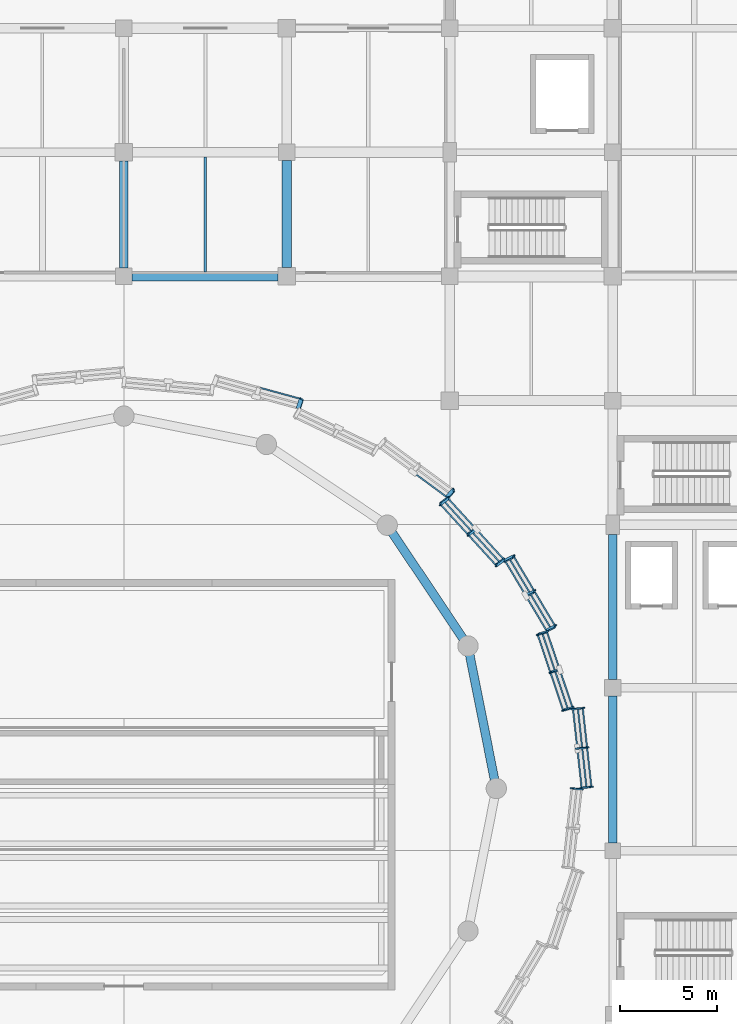
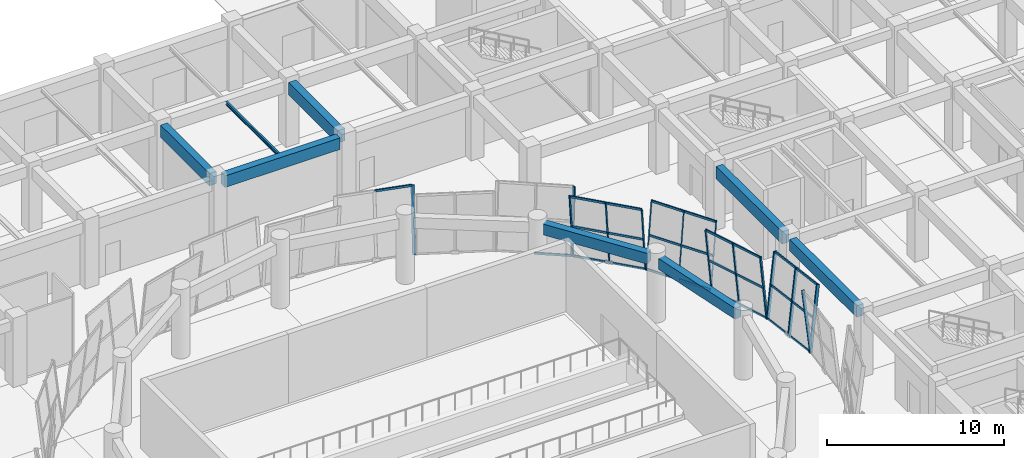
# One storey, part 33 of 72: 41 members, 8 beams, 7 elements without a shape of their own.
"""IFC4 building model written with IfcOpenShell, lengths in metres."""

from ifc_helpers import new_model, si_unit, direction, frame, origin, origin_2d, place, context, subcontext, project, spatial, rectangle, hollow_rectangle, i_section, extrude, material, material_profile, profile_set, type_object, element, aggregate, save


model = new_model("IFC4")

# Units and contexts
model_context = context("Model", 3, precision=1e-05, world=origin(), true_north=direction((0.0, 1.0)))
body_context = subcontext(model_context, "Body", "Model", "MODEL_VIEW")
ifc_project = project(units=[si_unit("LENGTHUNIT", "METRE"), si_unit("AREAUNIT", "SQUARE_METRE"), si_unit("VOLUMEUNIT", "CUBIC_METRE"), si_unit("PLANEANGLEUNIT", "RADIAN"), si_unit("MASSUNIT", "GRAM", prefix="KILO")], contexts=[model_context])

# Site, building, storey
site_placement = place(None, origin())
site = spatial("IfcSite", under=ifc_project, at=site_placement, CompositionType="ELEMENT")
building_placement = place(site_placement, origin())
building = spatial("IfcBuilding", under=site, at=building_placement, Name="Korsvaeld Concert Hall", CompositionType="ELEMENT")
storey_placement = place(building_placement, origin())
storey = spatial("IfcBuildingStorey", under=building, at=storey_placement, Name="L00", CompositionType="ELEMENT", Elevation=0.0)

# Beams
ifc_material_1 = material(Name="Concrete C35/45", Category="concrete")
ifc_material_profile_1 = material_profile(ifc_material_1, rectangle(XDim=0.449951171875, YDim=0.75, at=origin_2d()), Name="RC 450x750")
ifc_profile_set_1 = profile_set([ifc_material_profile_1], Name="Concrete C35/45")
beam_type_1 = type_object("IfcBeamType", Name="BM-RC-450x750", PredefinedType="T_BEAM", material=ifc_profile_set_1)
for number, where, z_axis, x_axis, name in (
    (1, (103.1123046875, 63.641357421875, 4.06494140625), (-0.195083214432, 0.980786694163, 0.0), (-0.980786694163, -0.195083214432, 0.0), "Drum ring floor girder L00 01"),
    (2, (101.488525390625, 70.921630859375, 4.06494140625), (-0.555571711953, 0.831468624109, 0.0), (-0.831468624109, -0.555571711953, 0.0), "Drum ring floor girder L00 02"),
):
    element("IfcBeam", number, at=place(storey_placement, frame(where, z_axis=z_axis, x_axis=x_axis)), inside=storey, type_object=beam_type_1, Name=name, PredefinedType="T_BEAM", context=body_context, shape_type="SweptSolid", body=[
        extrude(rectangle(XDim=0.449951171875, YDim=0.75, at=origin_2d()), origin(), (0.0, 0.0, 1.0), 6.591552734375),
    ])
ifc_material_profile_2 = material_profile(ifc_material_1, rectangle(XDim=0.449951171875, YDim=0.800048828125, at=origin_2d()), Name="RC 450x800")
ifc_profile_set_2 = profile_set([ifc_material_profile_2], Name="Concrete C35/45")
beam_type_2 = type_object("IfcBeamType", Name="BM-RC-450x800", PredefinedType="T_BEAM", material=ifc_profile_set_2)
beam_1_placement = place(storey_placement, frame((84.425048828125, 89.60009765625, 4.0400390625), z_axis=(1.0, 0.0, 0.0), x_axis=(0.0, 1.0, 0.0)))
element("IfcBeam", 3, at=beam_1_placement, inside=storey, type_object=beam_type_2, Name="Primary girder 12-13/N L00", PredefinedType="T_BEAM", context=body_context, shape_type="SweptSolid", body=[
    extrude(rectangle(XDim=0.449951171875, YDim=0.800048828125, at=origin_2d()), origin(), (0.0, 0.0, 1.0), 7.52490234375),
])
beam_2_placement = place(storey_placement, frame((109.199951171875, 60.39990234375, 4.0400390625), z_axis=(0.0, 1.0, 0.0), x_axis=(-1.0, 0.0, 0.0)))
element("IfcBeam", 4, at=beam_2_placement, inside=storey, type_object=beam_type_2, Name="Primary girder 15/J-K L00", PredefinedType="T_BEAM", context=body_context, shape_type="SweptSolid", body=[
    extrude(rectangle(XDim=0.449951171875, YDim=0.800048828125, at=origin_2d()), origin(), (0.0, 0.0, 1.0), 7.5751953125),
])
ifc_material_2 = material(Name="Concrete C40/50", Category="concrete")
ifc_material_profile_3 = material_profile(ifc_material_2, rectangle(XDim=0.449951171875, YDim=0.85009765625, at=origin_2d()), Name="RC 450x850")
ifc_profile_set_3 = profile_set([ifc_material_profile_3], Name="Concrete C40/50")
beam_type_3 = type_object("IfcBeamType", Name="BM-RC-450x850", PredefinedType="T_BEAM", material=ifc_profile_set_3)
beam_3_placement = place(storey_placement, frame((84.0, 90.02490234375, 4.014892578125), z_axis=(0.0, 1.0, 0.0), x_axis=(-1.0, 0.0, 0.0)))
element("IfcBeam", 5, at=beam_3_placement, inside=storey, type_object=beam_type_3, Name="Primary girder 12/N-P L00", PredefinedType="T_BEAM", context=body_context, shape_type="SweptSolid", body=[
    extrude(rectangle(XDim=0.449951171875, YDim=0.85009765625, at=origin_2d()), origin(), (0.0, 0.0, 1.0), 5.525146484375),
])
beam_4_placement = place(storey_placement, frame((109.199951171875, 68.824951171875, 4.014892578125), z_axis=(0.0, 1.0, 0.0), x_axis=(-1.0, 0.0, 0.0)))
element("IfcBeam", 6, at=beam_4_placement, inside=storey, type_object=beam_type_3, Name="Primary girder 15/K-L L00", PredefinedType="T_BEAM", context=body_context, shape_type="SweptSolid", body=[
    extrude(rectangle(XDim=0.449951171875, YDim=0.85009765625, at=origin_2d()), origin(), (0.0, 0.0, 1.0), 7.47509765625),
])
ifc_material_profile_4 = material_profile(ifc_material_2, rectangle(XDim=0.5, YDim=0.85009765625, at=origin_2d()), Name="RC 500x850")
ifc_profile_set_4 = profile_set([ifc_material_profile_4], Name="Concrete C40/50")
beam_type_4 = type_object("IfcBeamType", Name="BM-RC-500x850", PredefinedType="T_BEAM", material=ifc_profile_set_4)
beam_5_placement = place(storey_placement, frame((92.39990234375, 90.050048828125, 4.014892578125), z_axis=(0.0, 1.0, 0.0), x_axis=(-1.0, 0.0, 0.0)))
element("IfcBeam", 7, at=beam_5_placement, inside=storey, type_object=beam_type_4, Name="Primary girder 13/N-P L00", PredefinedType="T_BEAM", context=body_context, shape_type="SweptSolid", body=[
    extrude(rectangle(XDim=0.5, YDim=0.85009765625, at=origin_2d()), origin(), (0.0, 0.0, 1.0), 5.52490234375),
])
ifc_material_3 = material(Name="Steel S355J2", Category="steel")
ifc_material_profile_5 = material_profile(ifc_material_3, i_section(OverallWidth=0.1201171875, OverallDepth=0.239990234375, WebThickness=0.006103515625, FlangeThickness=0.009765625, FilletRadius=0.014892578125, at=origin_2d()), Name="IPE 240")
ifc_profile_set_5 = profile_set([ifc_material_profile_5], Name="Steel S355J2")
beam_type_5 = type_object("IfcBeamType", Name="BM-STL-IPE240", PredefinedType="JOIST", material=ifc_profile_set_5)
beam_6_placement = place(storey_placement, frame((88.199951171875, 89.824951171875, 4.320068359375), z_axis=(0.0, 1.0, 0.0), x_axis=(-1.0, 0.0, 0.0)))
element("IfcBeam", 8, at=beam_6_placement, inside=storey, type_object=beam_type_5, Name="Secondary steel floor beam 12-13/N L00", PredefinedType="JOIST", context=body_context, shape_type="SweptSolid", body=[
    extrude(i_section(OverallWidth=0.1201171875, OverallDepth=0.239990234375, WebThickness=0.006103515625, FlangeThickness=0.009765625, FilletRadius=0.014892578125, at=origin_2d()), origin(), (0.0, 0.0, 1.0), 5.925048828125),
])

# Curtain wall, members
ifc_material_4 = material(Name="Anodised bronze and ceramic-fritted safety glass", Category="glass")
curtain_wall_type_1 = type_object("IfcCurtainWallType", Name="CW-TYPE-02", PredefinedType="USERDEFINED", material=ifc_material_4)
curtain_wall_1_placement = place(storey_placement, origin())
curtain_wall_1 = element("IfcCurtainWall", 9, at=curtain_wall_1_placement, inside=storey, type_object=curtain_wall_type_1, Name="Crystal curtain-wall facet L00 F02", ObjectType="CURTAIN WALL", PredefinedType="USERDEFINED")
ifc_material_5 = material(Name="Anodised architectural bronze aluminium", Category="aluminium")
ifc_material_profile_6 = material_profile(ifc_material_5, hollow_rectangle(XDim=0.074951171875, YDim=0.179931640625, WallThickness=0.0048828125, at=origin_2d()), Name="CWM 180x75x5")
ifc_profile_set_6 = profile_set([ifc_material_profile_6], Name="Anodised architectural bronze aluminium")
member_type_1 = type_object("IfcMemberType", Name="CWM-BRONZE-180x75", PredefinedType="MULLION", material=ifc_profile_set_6)
member_1_placement = place(storey_placement, frame((107.134521484375, 67.371337890625, 0.0), z_axis=(-0.109211912002, -0.029725998854, 0.993573914346), x_axis=(-0.555535114655, 0.830704252875, -0.036210228416)))
member_1 = element("IfcMember", 10, at=member_1_placement, type_object=member_type_1, Name="CW-CRYS-L00-F02 crystal mullion 1", PredefinedType="MULLION", context=body_context, shape_type="SweptSolid", body=[
    extrude(hollow_rectangle(XDim=0.074951171875, YDim=0.179931640625, WallThickness=0.0048828125, at=origin_2d()), origin(), (0.0, 0.0, 1.0), 4.509033203125),
])
member_2_placement = place(storey_placement, frame((106.47509765625, 69.324462890625, 0.0), z_axis=(-0.109211736062, -0.029780096596, 0.993572313701), x_axis=(-0.555917957022, 0.830447902565, -0.036214723319)))
member_2 = element("IfcMember", 11, at=member_2_placement, type_object=member_type_1, Name="CW-CRYS-L00-F02 crystal mullion 2", PredefinedType="MULLION", context=body_context, shape_type="SweptSolid", body=[
    extrude(hollow_rectangle(XDim=0.074951171875, YDim=0.179931640625, WallThickness=0.0048828125, at=origin_2d()), origin(), (0.0, 0.0, 1.0), 4.509033203125),
])
member_3_placement = place(storey_placement, frame((105.815673828125, 71.27734375, 0.0), z_axis=(-0.109265235411, -0.029779920454, 0.993566436967), x_axis=(-0.555811687158, 0.830518312269, -0.036231221413)))
member_3 = element("IfcMember", 12, at=member_3_placement, type_object=member_type_1, Name="CW-CRYS-L00-F02 crystal mullion 3", PredefinedType="MULLION", context=body_context, shape_type="SweptSolid", body=[
    extrude(hollow_rectangle(XDim=0.074951171875, YDim=0.179931640625, WallThickness=0.0048828125, at=origin_2d()), origin(), (0.0, 0.0, 1.0), 4.509033203125),
])

curtain_wall_type_2 = type_object("IfcCurtainWallType", Name="CW-TYPE-04", PredefinedType="USERDEFINED", material=ifc_material_4)
curtain_wall_2_placement = place(storey_placement, origin())
curtain_wall_2 = element("IfcCurtainWall", 13, at=curtain_wall_2_placement, inside=storey, type_object=curtain_wall_type_2, Name="Crystal curtain-wall facet L00 F04", ObjectType="CURTAIN WALL", PredefinedType="USERDEFINED")
member_4_placement = place(storey_placement, frame((103.597412109375, 75.005859375, 0.0), z_axis=(-0.091126857677, -0.06719455162, 0.993569719769), x_axis=(-0.977527412796, 0.19648978478, -0.076367019772)))
member_4 = element("IfcMember", 14, at=member_4_placement, type_object=member_type_1, Name="CW-CRYS-L00-F04 crystal mullion 1", PredefinedType="MULLION", context=body_context, shape_type="SweptSolid", body=[
    extrude(hollow_rectangle(XDim=0.074951171875, YDim=0.179931640625, WallThickness=0.0048828125, at=origin_2d()), origin(), (0.0, 0.0, 1.0), 4.509033203125),
])
member_5_placement = place(storey_placement, frame((102.1552734375, 76.58447265625, 0.0), z_axis=(-0.091126857677, -0.06719455162, 0.993569719769), x_axis=(-0.977527412796, 0.19648978478, -0.076367019772)))
member_5 = element("IfcMember", 15, at=member_5_placement, type_object=member_type_1, Name="CW-CRYS-L00-F04 crystal mullion 2", PredefinedType="MULLION", context=body_context, shape_type="SweptSolid", body=[
    extrude(hollow_rectangle(XDim=0.074951171875, YDim=0.179931640625, WallThickness=0.0048828125, at=origin_2d()), origin(), (0.0, 0.0, 1.0), 4.509033203125),
])
member_6_placement = place(storey_placement, frame((100.712890625, 78.1630859375, 0.0), z_axis=(-0.091073161421, -0.06719488307, 0.99357462073), x_axis=(-0.977585821569, 0.196210270738, -0.076338005771)))
member_6 = element("IfcMember", 16, at=member_6_placement, type_object=member_type_1, Name="CW-CRYS-L00-F04 crystal mullion 3", PredefinedType="MULLION", context=body_context, shape_type="SweptSolid", body=[
    extrude(hollow_rectangle(XDim=0.074951171875, YDim=0.179931640625, WallThickness=0.0048828125, at=origin_2d()), origin(), (0.0, 0.0, 1.0), 4.509033203125),
])

# Curtain wall, member
curtain_wall_type_3 = type_object("IfcCurtainWallType", Name="CW-TYPE-08", PredefinedType="USERDEFINED", material=ifc_material_4)
curtain_wall_3_placement = place(storey_placement, origin())
curtain_wall_3 = element("IfcCurtainWall", 17, at=curtain_wall_3_placement, inside=storey, type_object=curtain_wall_type_3, Name="Crystal curtain-wall facet L00 F32", ObjectType="CURTAIN WALL", PredefinedType="USERDEFINED")
member_7_placement = place(storey_placement, frame((107.595947265625, 63.162841796875, 0.0), z_axis=(-0.112785024271, 0.009962767386, 0.993569464892), x_axis=(0.195342682506, 0.980657399627, 0.012341027037)))
member_7 = element("IfcMember", 18, at=member_7_placement, type_object=member_type_1, Name="CW-CRYS-L00-F32 crystal mullion 3", PredefinedType="MULLION", context=body_context, shape_type="SweptSolid", body=[
    extrude(hollow_rectangle(XDim=0.074951171875, YDim=0.179931640625, WallThickness=0.0048828125, at=origin_2d()), origin(), (0.0, 0.0, 1.0), 4.509033203125),
])
aggregate(curtain_wall_3, [member_7])

# Curtain wall, members
curtain_wall_type_4 = type_object("IfcCurtainWallType", Name="CW-TYPE-01", PredefinedType="USERDEFINED", material=ifc_material_4)
curtain_wall_4_placement = place(storey_placement, origin())
curtain_wall_4 = element("IfcCurtainWall", 19, at=curtain_wall_4_placement, inside=storey, type_object=curtain_wall_type_4, Name="Crystal curtain-wall facet L00 F01", ObjectType="CURTAIN WALL", PredefinedType="USERDEFINED")
ifc_material_profile_7 = material_profile(ifc_material_5, hollow_rectangle(XDim=0.074951171875, YDim=0.219970703125, WallThickness=0.006103515625, at=origin_2d()), Name="CWM 220x75x6")
ifc_profile_set_7 = profile_set([ifc_material_profile_7], Name="Anodised architectural bronze aluminium")
member_type_2 = type_object("IfcMemberType", Name="CWM-BRONZE-220x75", PredefinedType="MULLION", material=ifc_profile_set_7)
member_8_placement = place(storey_placement, frame((107.595947265625, 63.2373046875, 0.0), z_axis=(0.112731567062, 0.009962828213, 0.99357553102), x_axis=(0.195384625536, -0.980649116842, -0.012335223589)))
member_8 = element("IfcMember", 20, at=member_8_placement, type_object=member_type_2, Name="CW-CRYS-L00-F01 crystal mullion 1", PredefinedType="MULLION", context=body_context, shape_type="SweptSolid", body=[
    extrude(hollow_rectangle(XDim=0.074951171875, YDim=0.219970703125, WallThickness=0.006103515625, at=origin_2d()), origin(), (0.0, 0.0, 1.0), 4.509033203125),
])
member_9_placement = place(storey_placement, frame((107.373291015625, 65.26806640625, 0.0), z_axis=(0.112731567062, 0.009962828213, 0.99357553102), x_axis=(0.195384625536, -0.980649116842, -0.012335223589)))
member_9 = element("IfcMember", 21, at=member_9_placement, type_object=member_type_2, Name="CW-CRYS-L00-F01 crystal mullion 2", PredefinedType="MULLION", context=body_context, shape_type="SweptSolid", body=[
    extrude(hollow_rectangle(XDim=0.074951171875, YDim=0.219970703125, WallThickness=0.006103515625, at=origin_2d()), origin(), (0.0, 0.0, 1.0), 4.509033203125),
])
member_10_placement = place(storey_placement, frame((107.150634765625, 67.298583984375, 0.0), z_axis=(0.112731567062, 0.009962828213, 0.99357553102), x_axis=(0.195384625536, -0.980649116842, -0.012335223589)))
member_10 = element("IfcMember", 22, at=member_10_placement, type_object=member_type_2, Name="CW-CRYS-L00-F01 crystal mullion 3", PredefinedType="MULLION", context=body_context, shape_type="SweptSolid", body=[
    extrude(hollow_rectangle(XDim=0.074951171875, YDim=0.219970703125, WallThickness=0.006103515625, at=origin_2d()), origin(), (0.0, 0.0, 1.0), 4.509033203125),
])

curtain_wall_type_5 = type_object("IfcCurtainWallType", Name="CW-TYPE-03", PredefinedType="USERDEFINED", material=ifc_material_4)
curtain_wall_5_placement = place(storey_placement, origin())
curtain_wall_5 = element("IfcCurtainWall", 23, at=curtain_wall_5_placement, inside=storey, type_object=curtain_wall_type_5, Name="Crystal curtain-wall facet L00 F03", ObjectType="CURTAIN WALL", PredefinedType="USERDEFINED")
member_11_placement = place(storey_placement, frame((105.784423828125, 71.34521484375, 0.0), z_axis=(0.102064294294, 0.049001690364, 0.993570185831), x_axis=(0.829955472375, -0.554817257188, -0.057894084342)))
member_11 = element("IfcMember", 24, at=member_11_placement, type_object=member_type_2, Name="CW-CRYS-L00-F03 crystal mullion 1", PredefinedType="MULLION", context=body_context, shape_type="SweptSolid", body=[
    extrude(hollow_rectangle(XDim=0.074951171875, YDim=0.219970703125, WallThickness=0.006103515625, at=origin_2d()), origin(), (0.0, 0.0, 1.0), 4.509033203125),
])
member_12_placement = place(storey_placement, frame((104.713134765625, 73.1455078125, 0.0), z_axis=(0.102064294294, 0.049001690364, 0.993570185831), x_axis=(0.829955472375, -0.554817257188, -0.057894084342)))
member_12 = element("IfcMember", 25, at=member_12_placement, type_object=member_type_2, Name="CW-CRYS-L00-F03 crystal mullion 2", PredefinedType="MULLION", context=body_context, shape_type="SweptSolid", body=[
    extrude(hollow_rectangle(XDim=0.074951171875, YDim=0.219970703125, WallThickness=0.006103515625, at=origin_2d()), origin(), (0.0, 0.0, 1.0), 4.509033203125),
])
member_13_placement = place(storey_placement, frame((103.641845703125, 74.94580078125, 0.0), z_axis=(0.102064294294, 0.049001690364, 0.993570185831), x_axis=(0.829955472375, -0.554817257188, -0.057894084342)))
member_13 = element("IfcMember", 26, at=member_13_placement, type_object=member_type_2, Name="CW-CRYS-L00-F03 crystal mullion 3", PredefinedType="MULLION", context=body_context, shape_type="SweptSolid", body=[
    extrude(hollow_rectangle(XDim=0.074951171875, YDim=0.219970703125, WallThickness=0.006103515625, at=origin_2d()), origin(), (0.0, 0.0, 1.0), 4.509033203125),
])

# Curtain wall, member
curtain_wall_type_6 = type_object("IfcCurtainWallType", Name="CW-TYPE-05", PredefinedType="USERDEFINED", material=ifc_material_4)
curtain_wall_6_placement = place(storey_placement, origin())
curtain_wall_6 = element("IfcCurtainWall", 27, at=curtain_wall_6_placement, inside=storey, type_object=curtain_wall_type_6, Name="Crystal curtain-wall facet L00 F05", ObjectType="CURTAIN WALL", PredefinedType="USERDEFINED")
member_14_placement = place(storey_placement, frame((100.657470703125, 78.212890625, 0.0), z_axis=(0.076345198991, 0.083600700172, 0.99357049751), x_axis=(0.977470985896, 0.190384528217, -0.091127400637)))
member_14 = element("IfcMember", 28, at=member_14_placement, type_object=member_type_2, Name="CW-CRYS-L00-F05 crystal mullion 1", PredefinedType="MULLION", context=body_context, shape_type="SweptSolid", body=[
    extrude(hollow_rectangle(XDim=0.074951171875, YDim=0.219970703125, WallThickness=0.006103515625, at=origin_2d()), origin(), (0.0, 0.0, 1.0), 4.509033203125),
])

curtain_wall_type_7 = type_object("IfcCurtainWallType", Name="CW-TYPE-07", PredefinedType="USERDEFINED", material=ifc_material_4)
curtain_wall_7_placement = place(storey_placement, origin())
curtain_wall_7 = element("IfcCurtainWall", 29, at=curtain_wall_7_placement, inside=storey, type_object=curtain_wall_type_7, Name="Crystal curtain-wall facet L00 F07", ObjectType="CURTAIN WALL", PredefinedType="USERDEFINED")
member_15_placement = place(storey_placement, frame((92.9951171875, 82.796142578125, 0.0), z_axis=(0.036223576752, 0.10720879218, 0.993576432574), x_axis=(0.555933246897, 0.824025194694, -0.10918197426)))
member_15 = element("IfcMember", 30, at=member_15_placement, type_object=member_type_2, Name="CW-CRYS-L00-F07 crystal mullion 1", PredefinedType="MULLION", context=body_context, shape_type="SweptSolid", body=[
    extrude(hollow_rectangle(XDim=0.074951171875, YDim=0.219970703125, WallThickness=0.006103515625, at=origin_2d()), origin(), (0.0, 0.0, 1.0), 4.509033203125),
])

# Member
ifc_material_profile_8 = material_profile(ifc_material_5, hollow_rectangle(XDim=0.074951171875, YDim=0.14990234375, WallThickness=0.0048828125, at=origin_2d()), Name="CWT 150x75x5")
ifc_profile_set_8 = profile_set([ifc_material_profile_8], Name="Anodised architectural bronze aluminium")
member_type_3 = type_object("IfcMemberType", Name="CWT-BRONZE-150x75", PredefinedType="USERDEFINED", material=ifc_profile_set_8)
member_16_placement = place(storey_placement, frame((107.59521484375, 63.27490234375, 0.030029296875), z_axis=(-0.108933482058, 0.994049041289, 0.0), x_axis=(-0.994049041289, -0.108933482058, 0.0)))
member_16 = element("IfcMember", 31, at=member_16_placement, type_object=member_type_3, Name="CW-CRYS-L00-F01 crystal transom 1.1", ObjectType="TRANSOM", PredefinedType="USERDEFINED", context=body_context, shape_type="SweptSolid", body=[
    extrude(hollow_rectangle(XDim=0.074951171875, YDim=0.14990234375, WallThickness=0.0048828125, at=origin_2d()), origin(), (0.0, 0.0, 1.0), 1.9677734375),
])

member_17_placement = place(storey_placement, frame((107.845947265625, 63.297119140625, 2.239990234375), z_axis=(-0.108933482058, 0.994049041289, 0.0), x_axis=(-0.994049041289, -0.108933482058, 0.0)))
member_17 = element("IfcMember", 32, at=member_17_placement, type_object=member_type_3, Name="CW-CRYS-L00-F01 crystal transom 1.2", ObjectType="TRANSOM", PredefinedType="USERDEFINED", context=body_context, shape_type="SweptSolid", body=[
    extrude(hollow_rectangle(XDim=0.074951171875, YDim=0.14990234375, WallThickness=0.0048828125, at=origin_2d()), origin(), (0.0, 0.0, 1.0), 1.9677734375),
])

member_18_placement = place(storey_placement, frame((108.096923828125, 63.3193359375, 4.449951171875), z_axis=(-0.10905607732, 0.99403559896, 0.0), x_axis=(-0.99403559896, -0.10905607732, 0.0)))
member_18 = element("IfcMember", 33, at=member_18_placement, type_object=member_type_3, Name="CW-CRYS-L00-F01 crystal transom 1.3", ObjectType="TRANSOM", PredefinedType="USERDEFINED", context=body_context, shape_type="SweptSolid", body=[
    extrude(hollow_rectangle(XDim=0.074951171875, YDim=0.14990234375, WallThickness=0.0048828125, at=origin_2d()), origin(), (0.0, 0.0, 1.0), 1.9677734375),
])

member_19_placement = place(storey_placement, frame((107.37255859375, 65.305419921875, 0.030029296875), z_axis=(-0.109042629262, 0.99403707426, 0.0), x_axis=(-0.99403707426, -0.109042629262, 0.0)))
member_19 = element("IfcMember", 34, at=member_19_placement, type_object=member_type_3, Name="CW-CRYS-L00-F01 crystal transom 2.1", ObjectType="TRANSOM", PredefinedType="USERDEFINED", context=body_context, shape_type="SweptSolid", body=[
    extrude(hollow_rectangle(XDim=0.074951171875, YDim=0.14990234375, WallThickness=0.0048828125, at=origin_2d()), origin(), (0.0, 0.0, 1.0), 1.968017578125),
])

member_20_placement = place(storey_placement, frame((107.623291015625, 65.32763671875, 2.239990234375), z_axis=(-0.108920048755, 0.994050513294, 0.0), x_axis=(-0.994050513294, -0.108920048755, 0.0)))
member_20 = element("IfcMember", 35, at=member_20_placement, type_object=member_type_3, Name="CW-CRYS-L00-F01 crystal transom 2.2", ObjectType="TRANSOM", PredefinedType="USERDEFINED", context=body_context, shape_type="SweptSolid", body=[
    extrude(hollow_rectangle(XDim=0.074951171875, YDim=0.14990234375, WallThickness=0.0048828125, at=origin_2d()), origin(), (0.0, 0.0, 1.0), 1.968017578125),
])

member_21_placement = place(storey_placement, frame((107.874267578125, 65.349853515625, 4.449951171875), z_axis=(-0.10905607732, 0.99403559896, 0.0), x_axis=(-0.99403559896, -0.10905607732, 0.0)))
member_21 = element("IfcMember", 36, at=member_21_placement, type_object=member_type_3, Name="CW-CRYS-L00-F01 crystal transom 2.3", ObjectType="TRANSOM", PredefinedType="USERDEFINED", context=body_context, shape_type="SweptSolid", body=[
    extrude(hollow_rectangle(XDim=0.074951171875, YDim=0.14990234375, WallThickness=0.0048828125, at=origin_2d()), origin(), (0.0, 0.0, 1.0), 1.9677734375),
])

aggregate(curtain_wall_4, [member_8, member_9, member_10, member_16, member_17, member_18, member_19, member_20, member_21])

member_22_placement = place(storey_placement, frame((107.119140625, 67.406005859375, 0.030029296875), z_axis=(-0.319912420616, 0.947447118912, 0.0), x_axis=(-0.947447118912, -0.319912420616, 0.0)))
member_22 = element("IfcMember", 37, at=member_22_placement, type_object=member_type_3, Name="CW-CRYS-L00-F02 crystal transom 1.1", ObjectType="TRANSOM", PredefinedType="USERDEFINED", context=body_context, shape_type="SweptSolid", body=[
    extrude(hollow_rectangle(XDim=0.074951171875, YDim=0.14990234375, WallThickness=0.0048828125, at=origin_2d()), origin(), (0.0, 0.0, 1.0), 1.986572265625),
])

member_23_placement = place(storey_placement, frame((106.876220703125, 67.33984375, 2.239990234375), z_axis=(-0.319949676143, 0.947434538497, 0.0), x_axis=(-0.947434538497, -0.319949676143, 0.0)))
member_23 = element("IfcMember", 38, at=member_23_placement, type_object=member_type_3, Name="CW-CRYS-L00-F02 crystal transom 1.2", ObjectType="TRANSOM", PredefinedType="USERDEFINED", context=body_context, shape_type="SweptSolid", body=[
    extrude(hollow_rectangle(XDim=0.074951171875, YDim=0.14990234375, WallThickness=0.0048828125, at=origin_2d()), origin(), (0.0, 0.0, 1.0), 1.986328125),
])

member_24_placement = place(storey_placement, frame((106.63330078125, 67.273681640625, 4.449951171875), z_axis=(-0.319949676143, 0.947434538497, 0.0), x_axis=(-0.947434538497, -0.319949676143, 0.0)))
member_24 = element("IfcMember", 39, at=member_24_placement, type_object=member_type_3, Name="CW-CRYS-L00-F02 crystal transom 1.3", ObjectType="TRANSOM", PredefinedType="USERDEFINED", context=body_context, shape_type="SweptSolid", body=[
    extrude(hollow_rectangle(XDim=0.074951171875, YDim=0.14990234375, WallThickness=0.0048828125, at=origin_2d()), origin(), (0.0, 0.0, 1.0), 1.986328125),
])

member_25_placement = place(storey_placement, frame((106.459716796875, 69.359130859375, 0.030029296875), z_axis=(-0.319949676143, 0.947434538497, 0.0), x_axis=(-0.947434538497, -0.319949676143, 0.0)))
member_25 = element("IfcMember", 40, at=member_25_placement, type_object=member_type_3, Name="CW-CRYS-L00-F02 crystal transom 2.1", ObjectType="TRANSOM", PredefinedType="USERDEFINED", context=body_context, shape_type="SweptSolid", body=[
    extrude(hollow_rectangle(XDim=0.074951171875, YDim=0.14990234375, WallThickness=0.0048828125, at=origin_2d()), origin(), (0.0, 0.0, 1.0), 1.986328125),
])

member_26_placement = place(storey_placement, frame((106.216796875, 69.292724609375, 2.239990234375), z_axis=(-0.319912420616, 0.947447118912, 0.0), x_axis=(-0.947447118912, -0.319912420616, 0.0)))
member_26 = element("IfcMember", 41, at=member_26_placement, type_object=member_type_3, Name="CW-CRYS-L00-F02 crystal transom 2.2", ObjectType="TRANSOM", PredefinedType="USERDEFINED", context=body_context, shape_type="SweptSolid", body=[
    extrude(hollow_rectangle(XDim=0.074951171875, YDim=0.14990234375, WallThickness=0.0048828125, at=origin_2d()), origin(), (0.0, 0.0, 1.0), 1.986572265625),
])

member_27_placement = place(storey_placement, frame((105.973876953125, 69.2265625, 4.449951171875), z_axis=(-0.319912420616, 0.947447118912, 0.0), x_axis=(-0.947447118912, -0.319912420616, 0.0)))
member_27 = element("IfcMember", 42, at=member_27_placement, type_object=member_type_3, Name="CW-CRYS-L00-F02 crystal transom 2.3", ObjectType="TRANSOM", PredefinedType="USERDEFINED", context=body_context, shape_type="SweptSolid", body=[
    extrude(hollow_rectangle(XDim=0.074951171875, YDim=0.14990234375, WallThickness=0.0048828125, at=origin_2d()), origin(), (0.0, 0.0, 1.0), 1.986572265625),
])

aggregate(curtain_wall_1, [member_1, member_2, member_3, member_22, member_23, member_24, member_25, member_26, member_27])

member_28_placement = place(storey_placement, frame((105.768310546875, 71.37890625, 0.030029296875), z_axis=(-0.511381861684, 0.859353589357, 0.0), x_axis=(-0.859353589357, -0.511381861684, 0.0)))
member_28 = element("IfcMember", 43, at=member_28_placement, type_object=member_type_3, Name="CW-CRYS-L00-F03 crystal transom 1.1", ObjectType="TRANSOM", PredefinedType="USERDEFINED", context=body_context, shape_type="SweptSolid", body=[
    extrude(hollow_rectangle(XDim=0.074951171875, YDim=0.14990234375, WallThickness=0.0048828125, at=origin_2d()), origin(), (0.0, 0.0, 1.0), 2.02001953125),
])

member_29_placement = place(storey_placement, frame((105.995361328125, 71.48779296875, 2.239990234375), z_axis=(-0.511381861684, 0.859353589357, 0.0), x_axis=(-0.859353589357, -0.511381861684, 0.0)))
member_29 = element("IfcMember", 44, at=member_29_placement, type_object=member_type_3, Name="CW-CRYS-L00-F03 crystal transom 1.2", ObjectType="TRANSOM", PredefinedType="USERDEFINED", context=body_context, shape_type="SweptSolid", body=[
    extrude(hollow_rectangle(XDim=0.074951171875, YDim=0.14990234375, WallThickness=0.0048828125, at=origin_2d()), origin(), (0.0, 0.0, 1.0), 2.02001953125),
])

member_30_placement = place(storey_placement, frame((106.222412109375, 71.596923828125, 4.449951171875), z_axis=(-0.511381861684, 0.859353589357, 0.0), x_axis=(-0.859353589357, -0.511381861684, 0.0)))
member_30 = element("IfcMember", 45, at=member_30_placement, type_object=member_type_3, Name="CW-CRYS-L00-F03 crystal transom 1.3", ObjectType="TRANSOM", PredefinedType="USERDEFINED", context=body_context, shape_type="SweptSolid", body=[
    extrude(hollow_rectangle(XDim=0.074951171875, YDim=0.14990234375, WallThickness=0.0048828125, at=origin_2d()), origin(), (0.0, 0.0, 1.0), 2.02001953125),
])

member_31_placement = place(storey_placement, frame((104.697021484375, 73.17919921875, 0.030029296875), z_axis=(-0.511381861684, 0.859353589357, 0.0), x_axis=(-0.859353589357, -0.511381861684, 0.0)))
member_31 = element("IfcMember", 46, at=member_31_placement, type_object=member_type_3, Name="CW-CRYS-L00-F03 crystal transom 2.1", ObjectType="TRANSOM", PredefinedType="USERDEFINED", context=body_context, shape_type="SweptSolid", body=[
    extrude(hollow_rectangle(XDim=0.074951171875, YDim=0.14990234375, WallThickness=0.0048828125, at=origin_2d()), origin(), (0.0, 0.0, 1.0), 2.02001953125),
])

member_32_placement = place(storey_placement, frame((104.924072265625, 73.2880859375, 2.239990234375), z_axis=(-0.511328750939, 0.859385192136, 0.0), x_axis=(-0.859385192136, -0.511328750939, 0.0)))
member_32 = element("IfcMember", 47, at=member_32_placement, type_object=member_type_3, Name="CW-CRYS-L00-F03 crystal transom 2.2", ObjectType="TRANSOM", PredefinedType="USERDEFINED", context=body_context, shape_type="SweptSolid", body=[
    extrude(hollow_rectangle(XDim=0.074951171875, YDim=0.14990234375, WallThickness=0.0048828125, at=origin_2d()), origin(), (0.0, 0.0, 1.0), 2.020263671875),
])

member_33_placement = place(storey_placement, frame((105.151123046875, 73.397216796875, 4.449951171875), z_axis=(-0.511381861684, 0.859353589357, 0.0), x_axis=(-0.859353589357, -0.511381861684, 0.0)))
member_33 = element("IfcMember", 48, at=member_33_placement, type_object=member_type_3, Name="CW-CRYS-L00-F03 crystal transom 2.3", ObjectType="TRANSOM", PredefinedType="USERDEFINED", context=body_context, shape_type="SweptSolid", body=[
    extrude(hollow_rectangle(XDim=0.074951171875, YDim=0.14990234375, WallThickness=0.0048828125, at=origin_2d()), origin(), (0.0, 0.0, 1.0), 2.02001953125),
])

aggregate(curtain_wall_5, [member_11, member_12, member_13, member_28, member_29, member_30, member_31, member_32, member_33])

member_34_placement = place(storey_placement, frame((103.5693359375, 75.031494140625, 0.030029296875), z_axis=(-0.674496604142, 0.738277949692, 0.0), x_axis=(-0.738277949692, -0.674496604142, 0.0)))
member_34 = element("IfcMember", 49, at=member_34_placement, type_object=member_type_3, Name="CW-CRYS-L00-F04 crystal transom 1.1", ObjectType="TRANSOM", PredefinedType="USERDEFINED", context=body_context, shape_type="SweptSolid", body=[
    extrude(hollow_rectangle(XDim=0.074951171875, YDim=0.14990234375, WallThickness=0.0048828125, at=origin_2d()), origin(), (0.0, 0.0, 1.0), 2.063232421875),
])

member_35_placement = place(storey_placement, frame((103.36669921875, 74.882080078125, 2.239990234375), z_axis=(-0.674496604142, 0.738277949692, 0.0), x_axis=(-0.738277949692, -0.674496604142, 0.0)))
member_35 = element("IfcMember", 50, at=member_35_placement, type_object=member_type_3, Name="CW-CRYS-L00-F04 crystal transom 1.2", ObjectType="TRANSOM", PredefinedType="USERDEFINED", context=body_context, shape_type="SweptSolid", body=[
    extrude(hollow_rectangle(XDim=0.074951171875, YDim=0.14990234375, WallThickness=0.0048828125, at=origin_2d()), origin(), (0.0, 0.0, 1.0), 2.063232421875),
])

member_36_placement = place(storey_placement, frame((103.1640625, 74.732666015625, 4.449951171875), z_axis=(-0.674496604142, 0.738277949692, 0.0), x_axis=(-0.738277949692, -0.674496604142, 0.0)))
member_36 = element("IfcMember", 51, at=member_36_placement, type_object=member_type_3, Name="CW-CRYS-L00-F04 crystal transom 1.3", ObjectType="TRANSOM", PredefinedType="USERDEFINED", context=body_context, shape_type="SweptSolid", body=[
    extrude(hollow_rectangle(XDim=0.074951171875, YDim=0.14990234375, WallThickness=0.0048828125, at=origin_2d()), origin(), (0.0, 0.0, 1.0), 2.063232421875),
])

member_37_placement = place(storey_placement, frame((102.127197265625, 76.610107421875, 0.030029296875), z_axis=(-0.674496604142, 0.738277949692, 0.0), x_axis=(-0.738277949692, -0.674496604142, 0.0)))
member_37 = element("IfcMember", 52, at=member_37_placement, type_object=member_type_3, Name="CW-CRYS-L00-F04 crystal transom 2.1", ObjectType="TRANSOM", PredefinedType="USERDEFINED", context=body_context, shape_type="SweptSolid", body=[
    extrude(hollow_rectangle(XDim=0.074951171875, YDim=0.14990234375, WallThickness=0.0048828125, at=origin_2d()), origin(), (0.0, 0.0, 1.0), 2.063232421875),
])

member_38_placement = place(storey_placement, frame((101.924560546875, 76.460693359375, 2.239990234375), z_axis=(-0.674496604142, 0.738277949692, 0.0), x_axis=(-0.738277949692, -0.674496604142, 0.0)))
member_38 = element("IfcMember", 53, at=member_38_placement, type_object=member_type_3, Name="CW-CRYS-L00-F04 crystal transom 2.2", ObjectType="TRANSOM", PredefinedType="USERDEFINED", context=body_context, shape_type="SweptSolid", body=[
    extrude(hollow_rectangle(XDim=0.074951171875, YDim=0.14990234375, WallThickness=0.0048828125, at=origin_2d()), origin(), (0.0, 0.0, 1.0), 2.063232421875),
])

member_39_placement = place(storey_placement, frame((101.721923828125, 76.311279296875, 4.449951171875), z_axis=(-0.674561094192, 0.738219025901, 0.0), x_axis=(-0.738219025901, -0.674561094192, 0.0)))
member_39 = element("IfcMember", 54, at=member_39_placement, type_object=member_type_3, Name="CW-CRYS-L00-F04 crystal transom 2.3", ObjectType="TRANSOM", PredefinedType="USERDEFINED", context=body_context, shape_type="SweptSolid", body=[
    extrude(hollow_rectangle(XDim=0.074951171875, YDim=0.14990234375, WallThickness=0.0048828125, at=origin_2d()), origin(), (0.0, 0.0, 1.0), 2.063232421875),
])

aggregate(curtain_wall_2, [member_4, member_5, member_6, member_34, member_35, member_36, member_37, member_38, member_39])

member_40_placement = place(storey_placement, frame((100.629638671875, 78.23779296875, 0.030029296875), z_axis=(-0.804904507896, 0.593404358906, 0.0), x_axis=(-0.593404358906, -0.804904507896, 0.0)))
member_40 = element("IfcMember", 55, at=member_40_placement, type_object=member_type_3, Name="CW-CRYS-L00-F05 crystal transom 1.1", ObjectType="TRANSOM", PredefinedType="USERDEFINED", context=body_context, shape_type="SweptSolid", body=[
    extrude(hollow_rectangle(XDim=0.074951171875, YDim=0.14990234375, WallThickness=0.0048828125, at=origin_2d()), origin(), (0.0, 0.0, 1.0), 2.10888671875),
])

aggregate(curtain_wall_6, [member_14, member_40])

member_41_placement = place(storey_placement, frame((93.12109375, 83.286376953125, 4.449951171875), z_axis=(-0.964833511963, 0.262861739689, 0.0), x_axis=(-0.262861739689, -0.964833511963, 0.0)))
member_41 = element("IfcMember", 56, at=member_41_placement, type_object=member_type_3, Name="CW-CRYS-L00-F07 crystal transom 1.3", ObjectType="TRANSOM", PredefinedType="USERDEFINED", context=body_context, shape_type="SweptSolid", body=[
    extrude(hollow_rectangle(XDim=0.074951171875, YDim=0.14990234375, WallThickness=0.0048828125, at=origin_2d()), origin(), (0.0, 0.0, 1.0), 2.181640625),
])

aggregate(curtain_wall_7, [member_15, member_41])

save(model, "model.ifc")
